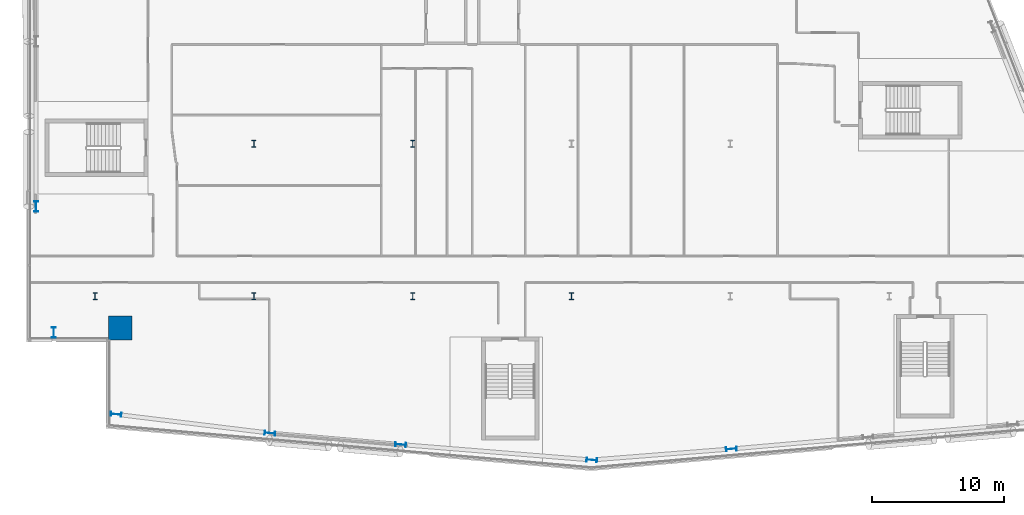
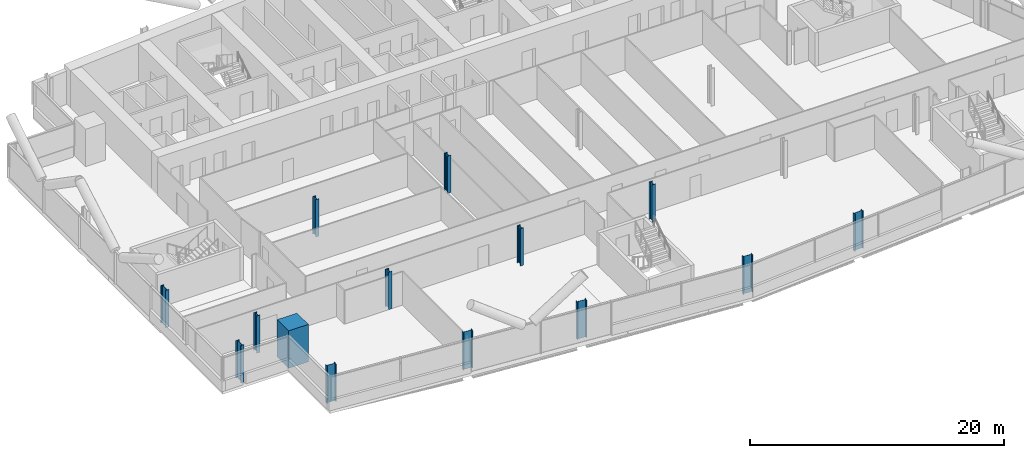
# One storey, part 1 of 27: 14 columns.
"""IFC4 building model written with IfcOpenShell, lengths in metres."""

from ifc_helpers import new_model, si_unit, direction, frame, origin, origin_2d, place, context, subcontext, project, spatial, rectangle, i_section, extrude, material, material_profile, profile_set, type_object, element, save


model = new_model("IFC4")

# Units and contexts
model_context = context("Model", 3, precision=1e-05, world=origin(), true_north=direction((0.0, 1.0)))
body_context = subcontext(model_context, "Body", "Model", "MODEL_VIEW")
ifc_project = project(units=[si_unit("LENGTHUNIT", "METRE"), si_unit("AREAUNIT", "SQUARE_METRE"), si_unit("VOLUMEUNIT", "CUBIC_METRE"), si_unit("PLANEANGLEUNIT", "RADIAN"), si_unit("MASSUNIT", "GRAM", prefix="KILO")], contexts=[model_context])

# Site, building, storey
site_placement = place(None, origin())
site = spatial("IfcSite", under=ifc_project, at=site_placement, CompositionType="ELEMENT")
building_placement = place(site_placement, origin())
building = spatial("IfcBuilding", under=site, at=building_placement, Name="Wharfspan Tower", CompositionType="ELEMENT")
storey_placement = place(building_placement, frame((0.0, 0.0, 139.899902)))
storey = spatial("IfcBuildingStorey", under=building, at=storey_placement, Name="L33", CompositionType="ELEMENT", Elevation=139.899902)

# Columns
ifc_material_1 = material(Name="Steel S355J2", Category="steel")
ifc_material_profile_1 = material_profile(ifc_material_1, i_section(OverallWidth=0.305908, OverallDepth=0.523926, WebThickness=0.020996, FlangeThickness=0.040039, FilletRadius=0.0271, at=origin_2d()))
ifc_profile_set_1 = profile_set([ifc_material_profile_1], Name="Steel S355J2")
column_type_1 = type_object("IfcColumnType", Name="Column HEM 500", PredefinedType="COLUMN", material=ifc_profile_set_1)
for number, where, z_axis, x_axis, name in (
    (1, (12.0, 11.5, 0.0), (0.0, 0.0, 1.0), (1.0, 0.0, 0.0), "Interior column I.1.1 L33"),
    (2, (24.0, 11.5, 0.0), (0.0, 0.0, 1.0), (1.0, 0.0, 0.0), "Interior column I.1.2 L33"),
    (3, (36.0, 11.5, 0.0), (0.0, 0.0, 1.0), (1.0, 0.0, 0.0), "Interior column I.1.3 L33"),
    (4, (48.0, 11.5, 0.0), (0.0, 0.0, 1.0), (1.0, 0.0, 0.0), "Interior column I.1.4 L33"),
    (5, (24.0, 23.0, 0.0), (0.0, 0.0, 1.0), (1.0, 0.0, 0.0), "Interior column I.2.1 L33"),
    (6, (36.0, 23.0, 0.0), (0.0, 0.0, 1.0), (1.0, 0.0, 0.0), "Interior column I.2.2 L33"),
):
    element("IfcColumn", number, at=place(storey_placement, frame(where, z_axis=z_axis, x_axis=x_axis)), inside=storey, type_object=column_type_1, Name=name, PredefinedType="COLUMN", context=body_context, shape_type="SweptSolid", body=[
        extrude(i_section(OverallWidth=0.305908, OverallDepth=0.523926, WebThickness=0.020996, FlangeThickness=0.040039, FilletRadius=0.0271, at=origin_2d()), origin(), (0.0, 0.0, 1.0), 3.600098),
    ])
ifc_material_profile_2 = material_profile(ifc_material_1, i_section(OverallWidth=0.302979, OverallDepth=0.813965, WebThickness=0.020996, FlangeThickness=0.040039, FilletRadius=0.030029, at=origin_2d()))
ifc_profile_set_2 = profile_set([ifc_material_profile_2], Name="Steel S355J2")
column_type_2 = type_object("IfcColumnType", Name="Column HEM 800", PredefinedType="COLUMN", material=ifc_profile_set_2)
for number, where, z_axis, x_axis, name in (
    (7, (13.590576, 2.569336, 0.0), (0.0, 0.0, 1.0), (-0.087156, -0.996198, 0.0), "Perimeter column PS1.1 L33"),
    (8, (25.213623, 1.148682, 0.0), (0.0, 0.0, 1.0), (-0.087156, -0.996198, 0.0), "Perimeter column PS1.2 L33"),
    (9, (35.089111, 0.284668, 0.0), (0.0, 0.0, 1.0), (-0.087156, -0.996198, 0.0), "Perimeter column PS1.3 L33"),
    (10, (49.53125, -0.881592, 0.0), (0.0, 0.0, 1.0), (-0.087156, -0.996198, 0.0), "Perimeter column PS1.4 L33"),
    (11, (60.077881, -0.050781, 0.0), (0.0, 0.0, 1.0), (0.087156, -0.996198, 0.0), "Perimeter column PS2.1 L33"),
    (12, (7.540039, 18.266602, 0.0), (0.0, 0.0, 1.0), (-1.0, 0.0, 0.0), "Perimeter column PW.2 L33"),
    (13, (8.884521, 8.742676, 0.0), (0.0, 0.0, 1.0), (-1.0, 0.0, 0.0), "Perimeter column PW.3 L33"),
):
    element("IfcColumn", number, at=place(storey_placement, frame(where, z_axis=z_axis, x_axis=x_axis)), inside=storey, type_object=column_type_2, Name=name, PredefinedType="COLUMN", context=body_context, shape_type="SweptSolid", body=[
        extrude(i_section(OverallWidth=0.302979, OverallDepth=0.813965, WebThickness=0.020996, FlangeThickness=0.040039, FilletRadius=0.030029, at=origin_2d()), origin(), (0.0, 0.0, 1.0), 3.600098),
    ])
ifc_material_2 = material(Name="Concrete C70/85", Category="concrete")
ifc_material_profile_3 = material_profile(ifc_material_2, rectangle(XDim=1.800049, YDim=1.800049, at=origin_2d()))
ifc_profile_set_3 = profile_set([ifc_material_profile_3], Name="Concrete C70/85")
column_type_3 = type_object("IfcColumnType", Name="Mega column 1800 C70/85", PredefinedType="COLUMN", material=ifc_profile_set_3)
column_placement = place(storey_placement, frame((13.899902, 9.100098, 0.0), z_axis=(0.0, 0.0, 1.0), x_axis=(1.0, 0.0, 0.0)))
element("IfcColumn", 14, at=column_placement, inside=storey, type_object=column_type_3, Name="Mega column MC1 L33", PredefinedType="COLUMN", context=body_context, shape_type="SweptSolid", body=[
    extrude(rectangle(XDim=1.800049, YDim=1.800049, at=origin_2d()), origin(), (0.0, 0.0, 1.0), 3.600098),
])

save(model, "model.ifc")
